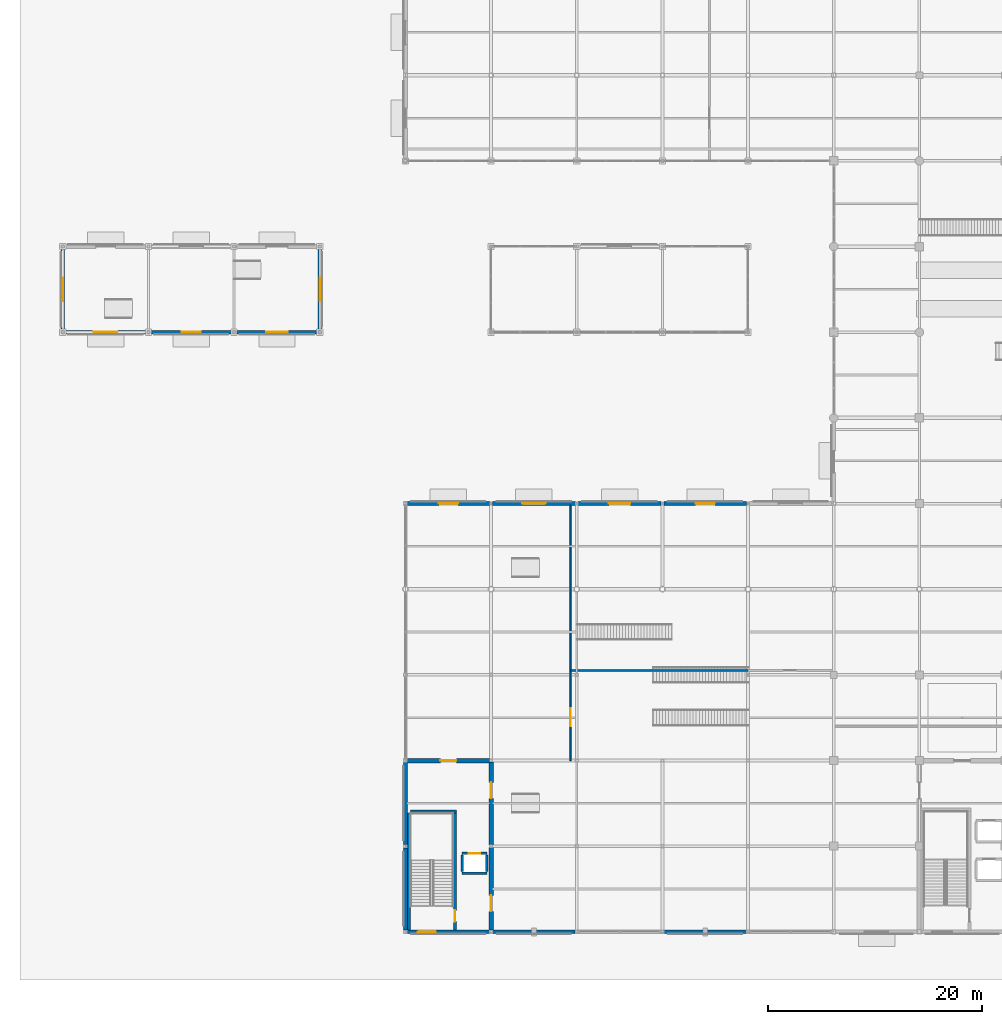
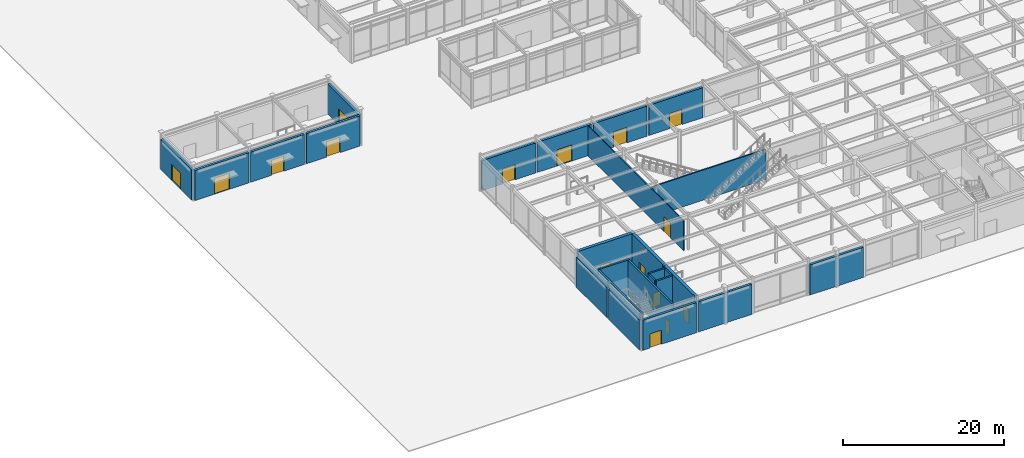
# One storey, part 101 of 128: 26 walls, 16 doors, 16 openings.
"""IFC4 building model written with IfcOpenShell, lengths in metres."""

from ifc_helpers import new_model, si_unit, direction, frame, frame_2d, origin, place, context, subcontext, project, spatial, rectangle, extrude, material, layer, layer_set, type_object, element, fill, save


model = new_model("IFC4")

# Units and contexts
model_context = context("Model", 3, precision=1e-05, world=origin(), true_north=direction((0.0, 1.0)))
body_context = subcontext(model_context, "Body", "Model", "MODEL_VIEW")
ifc_project = project(units=[si_unit("LENGTHUNIT", "METRE"), si_unit("AREAUNIT", "SQUARE_METRE"), si_unit("VOLUMEUNIT", "CUBIC_METRE"), si_unit("PLANEANGLEUNIT", "RADIAN"), si_unit("MASSUNIT", "GRAM", prefix="KILO")], contexts=[model_context])

# Site, building, storey
site_placement = place(None, origin())
site = spatial("IfcSite", under=ifc_project, at=site_placement, CompositionType="ELEMENT")
building_placement = place(site_placement, origin())
building = spatial("IfcBuilding", under=site, at=building_placement, Name="Solmirada Galleria", CompositionType="ELEMENT")
storey_placement = place(building_placement, origin())
storey = spatial("IfcBuildingStorey", under=building, at=storey_placement, Name="L00", CompositionType="ELEMENT", Elevation=0.0)

# Wall, opening, door
ifc_material_1 = material(Name="Concrete C40/50", Category="concrete")
ifc_layer_1 = layer(ifc_material_1, 0.419921875)
ifc_layer_set_1 = layer_set([ifc_layer_1], Name="Concrete C40/50")
wall_type_1 = type_object("IfcWallType", Name="WL-CORE-420", PredefinedType="SHEAR", material=ifc_layer_set_1)
wall_1_placement = place(storey_placement, frame((40.152587890625, 16.0, 0.0), z_axis=(0.0, 0.0, 1.0), x_axis=(1.0, 0.0, 0.0)))
wall_1 = element("IfcWall", 1, at=wall_1_placement, inside=storey, type_object=wall_type_1, Name="Core C5 shear wall L00 N1", PredefinedType="SHEAR", context=body_context, shape_type="SweptSolid", body=[
    extrude(rectangle(XDim=7.720458984375, YDim=0.419921875, at=frame_2d((3.8603515625, 0.0))), origin(), (0.0, 0.0, 1.0), 5.3798828125),
])
opening_1_placement = place(wall_1_placement, frame((3.110107421875, 0.0, 0.0)))
opening_1 = element("IfcOpeningElement", 2, at=opening_1_placement, cuts=wall_1, Name="Opening LDY-228", PredefinedType="OPENING", context=body_context, shape_type="SweptSolid", body=[
    extrude(rectangle(XDim=1.5, YDim=2.14990234375, at=frame_2d((0.75, 1.074951171875))), frame((0.0, 0.219970703125, 0.0), z_axis=(0.0, -1.0, 0.0), x_axis=(1.0, 0.0, 0.0)), (0.0, 0.0, 1.0), 0.43994140625),
])
ifc_material_2 = material(Name="Fire-rated painted steel door assembly", Category="steel")
door_type_1 = type_object("IfcDoorType", Name="DR-LOBBY-150X215", OperationType="DOUBLE_DOOR_SINGLE_SWING", PredefinedType="DOOR", material=ifc_material_2)
door_1_placement = place(opening_1_placement, origin())
door_1 = element("IfcDoor", 3, at=door_1_placement, inside=storey, type_object=door_type_1, Name="Core C5 lobby access fire door LDY-228", OperationType="DOUBLE_DOOR_SINGLE_SWING", OverallHeight=2.14990234375, OverallWidth=1.5, PredefinedType="DOOR", context=body_context, shape_type="SweptSolid", body=[
    extrude(rectangle(XDim=1.5, YDim=2.14990234375, at=frame_2d((0.75, 1.074951171875))), frame((0.0, 0.02490234375, 0.0), z_axis=(0.0, -1.0, 0.0), x_axis=(1.0, 0.0, 0.0)), (0.0, 0.0, 1.0), 0.050048828125),
])
fill(opening_1, door_1)

wall_2_placement = place(storey_placement, frame((48.0, 0.152587890625, 0.0), z_axis=(0.0, 0.0, 1.0), x_axis=(0.0, 1.0, 0.0)))
wall_2 = element("IfcWall", 4, at=wall_2_placement, inside=storey, type_object=wall_type_1, Name="Core C5 shear wall L00 E1", PredefinedType="SHEAR", context=body_context, shape_type="SweptSolid", body=[
    extrude(rectangle(XDim=7.720458984375, YDim=0.419921875, at=frame_2d((3.8603515625, 0.0))), origin(), (0.0, 0.0, 1.0), 5.3798828125),
])
opening_2_placement = place(wall_2_placement, frame((1.7490234375, 0.0, 0.0)))
opening_2 = element("IfcOpeningElement", 5, at=opening_2_placement, cuts=wall_2, Name="Opening LDY-229", PredefinedType="OPENING", context=body_context, shape_type="SweptSolid", body=[
    extrude(rectangle(XDim=1.5, YDim=2.14990234375, at=frame_2d((0.75, 1.074951171875))), frame((0.0, 0.219970703125, 0.0), z_axis=(0.0, -1.0, 0.0), x_axis=(1.0, 0.0, 0.0)), (0.0, 0.0, 1.0), 0.43994140625),
])
door_2_placement = place(opening_2_placement, origin())
door_2 = element("IfcDoor", 6, at=door_2_placement, inside=storey, type_object=door_type_1, Name="Core C5 lobby access fire door LDY-229", OperationType="DOUBLE_DOOR_SINGLE_SWING", OverallHeight=2.14990234375, OverallWidth=1.5, PredefinedType="DOOR", context=body_context, shape_type="SweptSolid", body=[
    extrude(rectangle(XDim=1.5, YDim=2.14990234375, at=frame_2d((0.75, 1.074951171875))), frame((0.0, 0.02490234375, 0.0), z_axis=(0.0, -1.0, 0.0), x_axis=(1.0, 0.0, 0.0)), (0.0, 0.0, 1.0), 0.050048828125),
])
fill(opening_2, door_2)

wall_3_placement = place(storey_placement, frame((48.0, 8.126953125, 0.0), z_axis=(0.0, 0.0, 1.0), x_axis=(0.0, 1.0, 0.0)))
wall_3 = element("IfcWall", 7, at=wall_3_placement, inside=storey, type_object=wall_type_1, Name="Core C5 shear wall L00 E2", PredefinedType="SHEAR", context=body_context, shape_type="SweptSolid", body=[
    extrude(rectangle(XDim=7.74609375, YDim=0.419921875, at=frame_2d((3.873046875, 0.0))), origin(), (0.0, 0.0, 1.0), 5.3798828125),
])
opening_3_placement = place(wall_3_placement, frame((4.3349609375, 0.0, 0.0)))
opening_3 = element("IfcOpeningElement", 8, at=opening_3_placement, cuts=wall_3, Name="Opening LDY-230", PredefinedType="OPENING", context=body_context, shape_type="SweptSolid", body=[
    extrude(rectangle(XDim=1.5, YDim=2.14990234375, at=frame_2d((0.75, 1.074951171875))), frame((0.0, 0.219970703125, 0.0), z_axis=(0.0, -1.0, 0.0), x_axis=(1.0, 0.0, 0.0)), (0.0, 0.0, 1.0), 0.43994140625),
])
door_3_placement = place(opening_3_placement, origin())
door_3 = element("IfcDoor", 9, at=door_3_placement, inside=storey, type_object=door_type_1, Name="Core C5 lobby access fire door LDY-230", OperationType="DOUBLE_DOOR_SINGLE_SWING", OverallHeight=2.14990234375, OverallWidth=1.5, PredefinedType="DOOR", context=body_context, shape_type="SweptSolid", body=[
    extrude(rectangle(XDim=1.5, YDim=2.14990234375, at=frame_2d((0.75, 1.074951171875))), frame((0.0, 0.02490234375, 0.0), z_axis=(0.0, -1.0, 0.0), x_axis=(1.0, 0.0, 0.0)), (0.0, 0.0, 1.0), 0.050048828125),
])
fill(opening_3, door_3)

# Walls
ifc_material_3 = material(Name="Precast concrete C40/50", Category="concrete")
ifc_layer_2 = layer(ifc_material_3, 0.340087890625)
ifc_layer_set_2 = layer_set([ifc_layer_2], Name="Precast concrete C40/50")
wall_type_2 = type_object("IfcWallType", Name="WL-EXT-340", PredefinedType="STANDARD", material=ifc_layer_set_2)
for number, where, z_axis, x_axis, name in (
    (10, (71.847412109375, 0.0, 0.0), (0.0, 0.0, 1.0), (-1.0, 0.0, 0.0), "Exterior wall L00 bay 077"),
    (11, (55.847412109375, 0.0, 0.0), (0.0, 0.0, 1.0), (-1.0, 0.0, 0.0), "Exterior wall L00 bay 079"),
):
    element("IfcWall", number, at=place(storey_placement, frame(where, z_axis=z_axis, x_axis=x_axis)), inside=storey, type_object=wall_type_2, Name=name, PredefinedType="STANDARD", context=body_context, shape_type="SweptSolid", body=[
        extrude(rectangle(XDim=7.69482421875, YDim=0.340087890625, at=frame_2d((3.847412109375, 0.0))), origin(), (0.0, 0.0, 1.0), 4.580078125),
    ])

# Wall, opening, door
wall_4_placement = place(storey_placement, frame((47.847412109375, 0.0, 0.0), z_axis=(0.0, 0.0, 1.0), x_axis=(-1.0, 0.0, 0.0)))
wall_4 = element("IfcWall", 12, at=wall_4_placement, inside=storey, type_object=wall_type_2, Name="Exterior wall L00 bay 080", PredefinedType="STANDARD", context=body_context, shape_type="SweptSolid", body=[
    extrude(rectangle(XDim=7.69482421875, YDim=0.340087890625, at=frame_2d((3.847412109375, 0.0))), origin(), (0.0, 0.0, 1.0), 4.580078125),
])
opening_4_placement = place(wall_4_placement, frame((4.9951171875, 0.0, 0.0)))
opening_4 = element("IfcOpeningElement", 13, at=opening_4_placement, cuts=wall_4, Name="Opening ED-040", PredefinedType="OPENING", context=body_context, shape_type="SweptSolid", body=[
    extrude(rectangle(XDim=1.699951171875, YDim=2.14990234375, at=frame_2d((0.85009765625, 1.074951171875))), frame((0.0, 0.179931640625, 0.0), z_axis=(0.0, -1.0, 0.0), x_axis=(1.0, 0.0, 0.0)), (0.0, 0.0, 1.0), 0.360107421875),
])
ifc_material_4 = material(Name="Painted galvanized steel door assembly", Category="steel")
door_type_2 = type_object("IfcDoorType", Name="DR-EXIT-170X215", OperationType="DOUBLE_DOOR_SINGLE_SWING", PredefinedType="DOOR", material=ifc_material_4)
door_4_placement = place(opening_4_placement, origin())
door_4 = element("IfcDoor", 14, at=door_4_placement, inside=storey, type_object=door_type_2, Name="Exit stair ST5 exterior discharge door ED-040", OperationType="DOUBLE_DOOR_SINGLE_SWING", OverallHeight=2.14990234375, OverallWidth=1.699951171875, PredefinedType="DOOR", context=body_context, shape_type="SweptSolid", body=[
    extrude(rectangle(XDim=1.699951171875, YDim=2.14990234375, at=frame_2d((0.85009765625, 1.074951171875))), frame((0.0, 0.02490234375, 0.0), z_axis=(0.0, -1.0, 0.0), x_axis=(1.0, 0.0, 0.0)), (0.0, 0.0, 1.0), 0.050048828125),
])
fill(opening_4, door_4)

# Walls
for number, where, z_axis, x_axis, name in (
    (15, (40.0, 0.152587890625, 0.0), (0.0, 0.0, 1.0), (0.0, 1.0, 0.0), "Exterior wall L00 bay 081"),
    (16, (40.0, 8.152587890625, 0.0), (0.0, 0.0, 1.0), (0.0, 1.0, 0.0), "Exterior wall L00 bay 082"),
):
    element("IfcWall", number, at=place(storey_placement, frame(where, z_axis=z_axis, x_axis=x_axis)), inside=storey, type_object=wall_type_2, Name=name, PredefinedType="STANDARD", context=body_context, shape_type="SweptSolid", body=[
        extrude(rectangle(XDim=7.69482421875, YDim=0.340087890625, at=frame_2d((3.847412109375, 0.0))), origin(), (0.0, 0.0, 1.0), 4.580078125),
    ])

# Wall, opening, door
wall_5_placement = place(storey_placement, frame((40.152587890625, 40.0, 0.0), z_axis=(0.0, 0.0, 1.0), x_axis=(1.0, 0.0, 0.0)))
wall_5 = element("IfcWall", 17, at=wall_5_placement, inside=storey, type_object=wall_type_2, Name="Exterior wall L00 bay 086", PredefinedType="STANDARD", context=body_context, shape_type="SweptSolid", body=[
    extrude(rectangle(XDim=7.720458984375, YDim=0.340087890625, at=frame_2d((3.8603515625, 0.0))), origin(), (0.0, 0.0, 1.0), 4.580078125),
])
opening_5_placement = place(wall_5_placement, frame((2.9599609375, 0.0, 0.0)))
opening_5 = element("IfcOpeningElement", 18, at=opening_5_placement, cuts=wall_5, Name="Opening ED-041", PredefinedType="OPENING", context=body_context, shape_type="SweptSolid", body=[
    extrude(rectangle(XDim=1.800048828125, YDim=2.300048828125, at=frame_2d((0.89990234375, 1.14990234375))), frame((0.0, 0.179931640625, 0.0), z_axis=(0.0, -1.0, 0.0), x_axis=(1.0, 0.0, 0.0)), (0.0, 0.0, 1.0), 0.360107421875),
])
ifc_material_5 = material(Name="Thermally broken aluminium and laminated glass door", Category="aluminium")
door_type_3 = type_object("IfcDoorType", Name="DR-ENT-180X230", OperationType="DOUBLE_DOOR_SINGLE_SWING", PredefinedType="DOOR", material=ifc_material_5)
door_5_placement = place(opening_5_placement, origin())
door_5 = element("IfcDoor", 19, at=door_5_placement, inside=storey, type_object=door_type_3, Name="Public avenue entrance door ED-041", OperationType="DOUBLE_DOOR_SINGLE_SWING", OverallHeight=2.300048828125, OverallWidth=1.800048828125, PredefinedType="DOOR", context=body_context, shape_type="SweptSolid", body=[
    extrude(rectangle(XDim=1.800048828125, YDim=2.300048828125, at=frame_2d((0.89990234375, 1.14990234375))), frame((0.0, 0.02490234375, 0.0), z_axis=(0.0, -1.0, 0.0), x_axis=(1.0, 0.0, 0.0)), (0.0, 0.0, 1.0), 0.050048828125),
])
fill(opening_5, door_5)

wall_6_placement = place(storey_placement, frame((48.126953125, 40.0, 0.0), z_axis=(0.0, 0.0, 1.0), x_axis=(1.0, 0.0, 0.0)))
wall_6 = element("IfcWall", 20, at=wall_6_placement, inside=storey, type_object=wall_type_2, Name="Exterior wall L00 bay 087", PredefinedType="STANDARD", context=body_context, shape_type="SweptSolid", body=[
    extrude(rectangle(XDim=7.74609375, YDim=0.340087890625, at=frame_2d((3.873046875, 0.0))), origin(), (0.0, 0.0, 1.0), 4.580078125),
])
opening_6_placement = place(wall_6_placement, frame((2.77294921875, 0.0, 0.0)))
opening_6 = element("IfcOpeningElement", 21, at=opening_6_placement, cuts=wall_6, Name="Opening ED-042", PredefinedType="OPENING", context=body_context, shape_type="SweptSolid", body=[
    extrude(rectangle(XDim=2.199951171875, YDim=2.449951171875, at=frame_2d((1.10009765625, 1.22509765625))), frame((0.0, 0.179931640625, 0.0), z_axis=(0.0, -1.0, 0.0), x_axis=(1.0, 0.0, 0.0)), (0.0, 0.0, 1.0), 0.360107421875),
])
door_type_4 = type_object("IfcDoorType", Name="DR-ENT-220X245", OperationType="DOUBLE_DOOR_SINGLE_SWING", PredefinedType="DOOR", material=ifc_material_5)
door_6_placement = place(opening_6_placement, origin())
door_6 = element("IfcDoor", 22, at=door_6_placement, inside=storey, type_object=door_type_4, Name="Public avenue entrance door ED-042", OperationType="DOUBLE_DOOR_SINGLE_SWING", OverallHeight=2.449951171875, OverallWidth=2.199951171875, PredefinedType="DOOR", context=body_context, shape_type="SweptSolid", body=[
    extrude(rectangle(XDim=2.199951171875, YDim=2.449951171875, at=frame_2d((1.10009765625, 1.22509765625))), frame((0.0, 0.02490234375, 0.0), z_axis=(0.0, -1.0, 0.0), x_axis=(1.0, 0.0, 0.0)), (0.0, 0.0, 1.0), 0.050048828125),
])
fill(opening_6, door_6)

wall_7_placement = place(storey_placement, frame((56.126953125, 40.0, 0.0), z_axis=(0.0, 0.0, 1.0), x_axis=(1.0, 0.0, 0.0)))
wall_7 = element("IfcWall", 23, at=wall_7_placement, inside=storey, type_object=wall_type_2, Name="Exterior wall L00 bay 088", PredefinedType="STANDARD", context=body_context, shape_type="SweptSolid", body=[
    extrude(rectangle(XDim=7.74609375, YDim=0.340087890625, at=frame_2d((3.873046875, 0.0))), origin(), (0.0, 0.0, 1.0), 4.580078125),
])
opening_7_placement = place(wall_7_placement, frame((2.873046875, 0.0, 0.0)))
opening_7 = element("IfcOpeningElement", 24, at=opening_7_placement, cuts=wall_7, Name="Opening ED-043", PredefinedType="OPENING", context=body_context, shape_type="SweptSolid", body=[
    extrude(rectangle(XDim=2.0, YDim=2.35009765625, at=frame_2d((1.0, 1.175048828125))), frame((0.0, 0.179931640625, 0.0), z_axis=(0.0, -1.0, 0.0), x_axis=(1.0, 0.0, 0.0)), (0.0, 0.0, 1.0), 0.360107421875),
])
door_type_5 = type_object("IfcDoorType", Name="DR-ENT-200X235", OperationType="DOUBLE_DOOR_SINGLE_SWING", PredefinedType="DOOR", material=ifc_material_5)
door_7_placement = place(opening_7_placement, origin())
door_7 = element("IfcDoor", 25, at=door_7_placement, inside=storey, type_object=door_type_5, Name="Public avenue entrance door ED-043", OperationType="DOUBLE_DOOR_SINGLE_SWING", OverallHeight=2.35009765625, OverallWidth=2.0, PredefinedType="DOOR", context=body_context, shape_type="SweptSolid", body=[
    extrude(rectangle(XDim=2.0, YDim=2.35009765625, at=frame_2d((1.0, 1.175048828125))), frame((0.0, 0.02490234375, 0.0), z_axis=(0.0, -1.0, 0.0), x_axis=(1.0, 0.0, 0.0)), (0.0, 0.0, 1.0), 0.050048828125),
])
fill(opening_7, door_7)

wall_8_placement = place(storey_placement, frame((64.126953125, 40.0, 0.0), z_axis=(0.0, 0.0, 1.0), x_axis=(1.0, 0.0, 0.0)))
wall_8 = element("IfcWall", 26, at=wall_8_placement, inside=storey, type_object=wall_type_2, Name="Exterior wall L00 bay 089", PredefinedType="STANDARD", context=body_context, shape_type="SweptSolid", body=[
    extrude(rectangle(XDim=7.74609375, YDim=0.340087890625, at=frame_2d((3.873046875, 0.0))), origin(), (0.0, 0.0, 1.0), 4.580078125),
])
opening_8_placement = place(wall_8_placement, frame((2.972900390625, 0.0, 0.0)))
opening_8 = element("IfcOpeningElement", 27, at=opening_8_placement, cuts=wall_8, Name="Opening ED-044", PredefinedType="OPENING", context=body_context, shape_type="SweptSolid", body=[
    extrude(rectangle(XDim=1.800048828125, YDim=2.300048828125, at=frame_2d((0.89990234375, 1.14990234375))), frame((0.0, 0.179931640625, 0.0), z_axis=(0.0, -1.0, 0.0), x_axis=(1.0, 0.0, 0.0)), (0.0, 0.0, 1.0), 0.360107421875),
])
door_8_placement = place(opening_8_placement, origin())
door_8 = element("IfcDoor", 28, at=door_8_placement, inside=storey, type_object=door_type_3, Name="Public avenue entrance door ED-044", OperationType="DOUBLE_DOOR_SINGLE_SWING", OverallHeight=2.300048828125, OverallWidth=1.800048828125, PredefinedType="DOOR", context=body_context, shape_type="SweptSolid", body=[
    extrude(rectangle(XDim=1.800048828125, YDim=2.300048828125, at=frame_2d((0.89990234375, 1.14990234375))), frame((0.0, 0.02490234375, 0.0), z_axis=(0.0, -1.0, 0.0), x_axis=(1.0, 0.0, 0.0)), (0.0, 0.0, 1.0), 0.050048828125),
])
fill(opening_8, door_8)

wall_9_placement = place(storey_placement, frame((31.873046875, 56.0, 0.0), z_axis=(0.0, 0.0, 1.0), x_axis=(-1.0, 0.0, 0.0)))
wall_9 = element("IfcWall", 29, at=wall_9_placement, inside=storey, type_object=wall_type_2, Name="Exterior wall L00 bay 091", PredefinedType="STANDARD", context=body_context, shape_type="SweptSolid", body=[
    extrude(rectangle(XDim=7.74609375, YDim=0.340087890625, at=frame_2d((3.873046875, 0.0))), origin(), (0.0, 0.0, 1.0), 4.580078125),
])
opening_9_placement = place(wall_9_placement, frame((2.873046875, 0.0, 0.0)))
opening_9 = element("IfcOpeningElement", 30, at=opening_9_placement, cuts=wall_9, Name="Opening ED-046", PredefinedType="OPENING", context=body_context, shape_type="SweptSolid", body=[
    extrude(rectangle(XDim=2.0, YDim=2.35009765625, at=frame_2d((1.0, 1.175048828125))), frame((0.0, 0.179931640625, 0.0), z_axis=(0.0, -1.0, 0.0), x_axis=(1.0, 0.0, 0.0)), (0.0, 0.0, 1.0), 0.360107421875),
])
door_9_placement = place(opening_9_placement, origin())
door_9 = element("IfcDoor", 31, at=door_9_placement, inside=storey, type_object=door_type_5, Name="Public avenue entrance door ED-046", OperationType="DOUBLE_DOOR_SINGLE_SWING", OverallHeight=2.35009765625, OverallWidth=2.0, PredefinedType="DOOR", context=body_context, shape_type="SweptSolid", body=[
    extrude(rectangle(XDim=2.0, YDim=2.35009765625, at=frame_2d((1.0, 1.175048828125))), frame((0.0, 0.02490234375, 0.0), z_axis=(0.0, -1.0, 0.0), x_axis=(1.0, 0.0, 0.0)), (0.0, 0.0, 1.0), 0.050048828125),
])
fill(opening_9, door_9)

wall_10_placement = place(storey_placement, frame((23.873046875, 56.0, 0.0), z_axis=(0.0, 0.0, 1.0), x_axis=(-1.0, 0.0, 0.0)))
wall_10 = element("IfcWall", 32, at=wall_10_placement, inside=storey, type_object=wall_type_2, Name="Exterior wall L00 bay 092", PredefinedType="STANDARD", context=body_context, shape_type="SweptSolid", body=[
    extrude(rectangle(XDim=7.74609375, YDim=0.340087890625, at=frame_2d((3.873046875, 0.0))), origin(), (0.0, 0.0, 1.0), 4.580078125),
])
opening_10_placement = place(wall_10_placement, frame((2.972900390625, 0.0, 0.0)))
opening_10 = element("IfcOpeningElement", 33, at=opening_10_placement, cuts=wall_10, Name="Opening ED-047", PredefinedType="OPENING", context=body_context, shape_type="SweptSolid", body=[
    extrude(rectangle(XDim=1.800048828125, YDim=2.300048828125, at=frame_2d((0.89990234375, 1.14990234375))), frame((0.0, 0.179931640625, 0.0), z_axis=(0.0, -1.0, 0.0), x_axis=(1.0, 0.0, 0.0)), (0.0, 0.0, 1.0), 0.360107421875),
])
door_10_placement = place(opening_10_placement, origin())
door_10 = element("IfcDoor", 34, at=door_10_placement, inside=storey, type_object=door_type_3, Name="Public avenue entrance door ED-047", OperationType="DOUBLE_DOOR_SINGLE_SWING", OverallHeight=2.300048828125, OverallWidth=1.800048828125, PredefinedType="DOOR", context=body_context, shape_type="SweptSolid", body=[
    extrude(rectangle(XDim=1.800048828125, YDim=2.300048828125, at=frame_2d((0.89990234375, 1.14990234375))), frame((0.0, 0.02490234375, 0.0), z_axis=(0.0, -1.0, 0.0), x_axis=(1.0, 0.0, 0.0)), (0.0, 0.0, 1.0), 0.050048828125),
])
fill(opening_10, door_10)

wall_11_placement = place(storey_placement, frame((15.873046875, 56.0, 0.0), z_axis=(0.0, 0.0, 1.0), x_axis=(-1.0, 0.0, 0.0)))
wall_11 = element("IfcWall", 35, at=wall_11_placement, inside=storey, type_object=wall_type_2, Name="Exterior wall L00 bay 093", PredefinedType="STANDARD", context=body_context, shape_type="SweptSolid", body=[
    extrude(rectangle(XDim=7.74609375, YDim=0.340087890625, at=frame_2d((3.873046875, 0.0))), origin(), (0.0, 0.0, 1.0), 4.580078125),
])
opening_11_placement = place(wall_11_placement, frame((2.77294921875, 0.0, 0.0)))
opening_11 = element("IfcOpeningElement", 36, at=opening_11_placement, cuts=wall_11, Name="Opening ED-048", PredefinedType="OPENING", context=body_context, shape_type="SweptSolid", body=[
    extrude(rectangle(XDim=2.199951171875, YDim=2.449951171875, at=frame_2d((1.10009765625, 1.22509765625))), frame((0.0, 0.179931640625, 0.0), z_axis=(0.0, -1.0, 0.0), x_axis=(1.0, 0.0, 0.0)), (0.0, 0.0, 1.0), 0.360107421875),
])
door_11_placement = place(opening_11_placement, origin())
door_11 = element("IfcDoor", 37, at=door_11_placement, inside=storey, type_object=door_type_4, Name="Public avenue entrance door ED-048", OperationType="DOUBLE_DOOR_SINGLE_SWING", OverallHeight=2.449951171875, OverallWidth=2.199951171875, PredefinedType="DOOR", context=body_context, shape_type="SweptSolid", body=[
    extrude(rectangle(XDim=2.199951171875, YDim=2.449951171875, at=frame_2d((1.10009765625, 1.22509765625))), frame((0.0, 0.02490234375, 0.0), z_axis=(0.0, -1.0, 0.0), x_axis=(1.0, 0.0, 0.0)), (0.0, 0.0, 1.0), 0.050048828125),
])
fill(opening_11, door_11)

wall_12_placement = place(storey_placement, frame((8.0, 56.126953125, 0.0), z_axis=(0.0, 0.0, 1.0), x_axis=(0.0, 1.0, 0.0)))
wall_12 = element("IfcWall", 38, at=wall_12_placement, inside=storey, type_object=wall_type_2, Name="Exterior wall L00 bay 094", PredefinedType="STANDARD", context=body_context, shape_type="SweptSolid", body=[
    extrude(rectangle(XDim=7.74609375, YDim=0.340087890625, at=frame_2d((3.873046875, 0.0))), origin(), (0.0, 0.0, 1.0), 4.580078125),
])
opening_12_placement = place(wall_12_placement, frame((2.77294921875, 0.0, 0.0)))
opening_12 = element("IfcOpeningElement", 39, at=opening_12_placement, cuts=wall_12, Name="Opening ED-049", PredefinedType="OPENING", context=body_context, shape_type="SweptSolid", body=[
    extrude(rectangle(XDim=2.199951171875, YDim=2.449951171875, at=frame_2d((1.10009765625, 1.22509765625))), frame((0.0, 0.179931640625, 0.0), z_axis=(0.0, -1.0, 0.0), x_axis=(1.0, 0.0, 0.0)), (0.0, 0.0, 1.0), 0.360107421875),
])
door_12_placement = place(opening_12_placement, origin())
door_12 = element("IfcDoor", 40, at=door_12_placement, inside=storey, type_object=door_type_4, Name="West arcade welcome portal door ED-049", OperationType="DOUBLE_DOOR_SINGLE_SWING", OverallHeight=2.449951171875, OverallWidth=2.199951171875, PredefinedType="DOOR", context=body_context, shape_type="SweptSolid", body=[
    extrude(rectangle(XDim=2.199951171875, YDim=2.449951171875, at=frame_2d((1.10009765625, 1.22509765625))), frame((0.0, 0.02490234375, 0.0), z_axis=(0.0, -1.0, 0.0), x_axis=(1.0, 0.0, 0.0)), (0.0, 0.0, 1.0), 0.050048828125),
])
fill(opening_12, door_12)

wall_13_placement = place(storey_placement, frame((32.0, 63.873046875, 0.0), z_axis=(0.0, 0.0, 1.0), x_axis=(0.0, -1.0, 0.0)))
wall_13 = element("IfcWall", 41, at=wall_13_placement, inside=storey, type_object=wall_type_2, Name="Exterior wall L00 bay 098", PredefinedType="STANDARD", context=body_context, shape_type="SweptSolid", body=[
    extrude(rectangle(XDim=7.74609375, YDim=0.340087890625, at=frame_2d((3.873046875, 0.0))), origin(), (0.0, 0.0, 1.0), 4.580078125),
])
opening_13_placement = place(wall_13_placement, frame((2.77294921875, 0.0, 0.0)))
opening_13 = element("IfcOpeningElement", 42, at=opening_13_placement, cuts=wall_13, Name="Opening ED-053", PredefinedType="OPENING", context=body_context, shape_type="SweptSolid", body=[
    extrude(rectangle(XDim=2.199951171875, YDim=2.449951171875, at=frame_2d((1.10009765625, 1.22509765625))), frame((0.0, 0.179931640625, 0.0), z_axis=(0.0, -1.0, 0.0), x_axis=(1.0, 0.0, 0.0)), (0.0, 0.0, 1.0), 0.360107421875),
])
door_13_placement = place(opening_13_placement, origin())
door_13 = element("IfcDoor", 43, at=door_13_placement, inside=storey, type_object=door_type_4, Name="West arcade welcome portal door ED-053", OperationType="DOUBLE_DOOR_SINGLE_SWING", OverallHeight=2.449951171875, OverallWidth=2.199951171875, PredefinedType="DOOR", context=body_context, shape_type="SweptSolid", body=[
    extrude(rectangle(XDim=2.199951171875, YDim=2.449951171875, at=frame_2d((1.10009765625, 1.22509765625))), frame((0.0, 0.02490234375, 0.0), z_axis=(0.0, -1.0, 0.0), x_axis=(1.0, 0.0, 0.0)), (0.0, 0.0, 1.0), 0.050048828125),
])
fill(opening_13, door_13)

ifc_layer_3 = layer(ifc_material_1, 0.239990234375)
ifc_layer_set_3 = layer_set([ifc_layer_3], Name="Concrete C40/50")
wall_type_3 = type_object("IfcWallType", Name="WL-HOIST-240", PredefinedType="PARTITIONING", material=ifc_layer_set_3)
wall_14_placement = place(storey_placement, frame((45.294921875, 7.330078125, 0.0), z_axis=(0.0, 0.0, 1.0), x_axis=(1.0, 0.0, 0.0)))
wall_14 = element("IfcWall", 44, at=wall_14_placement, inside=storey, type_object=wall_type_3, Name="Lift LP5 hoistway front wall L00", PredefinedType="PARTITIONING", context=body_context, shape_type="SweptSolid", body=[
    extrude(rectangle(XDim=2.31005859375, YDim=0.239990234375, at=frame_2d((1.155029296875, 0.0))), origin(), (0.0, 0.0, 1.0), 5.3798828125),
])
opening_14_placement = place(wall_14_placement, frame((0.60498046875, 0.0, 0.0)))
opening_14 = element("IfcOpeningElement", 45, at=opening_14_placement, cuts=wall_14, Name="Opening LD-LP5-L00", PredefinedType="OPENING", context=body_context, shape_type="SweptSolid", body=[
    extrude(rectangle(XDim=1.10009765625, YDim=2.14990234375, at=frame_2d((0.550048828125, 1.074951171875))), frame((0.0, 0.1298828125, 0.0), z_axis=(0.0, -1.0, 0.0), x_axis=(1.0, 0.0, 0.0)), (0.0, 0.0, 1.0), 0.260009765625),
])
ifc_material_6 = material(Name="Brushed stainless-steel sliding landing door", Category="steel")
door_type_6 = type_object("IfcDoorType", Name="DR-LIFT-110X215", OperationType="SLIDING_TO_LEFT", PredefinedType="DOOR", material=ifc_material_6)
door_14_placement = place(opening_14_placement, origin())
door_14 = element("IfcDoor", 46, at=door_14_placement, inside=storey, type_object=door_type_6, Name="Lift LP5 sliding landing door L00", OperationType="SLIDING_TO_LEFT", OverallHeight=2.14990234375, OverallWidth=1.10009765625, PredefinedType="DOOR", context=body_context, shape_type="SweptSolid", body=[
    extrude(rectangle(XDim=1.10009765625, YDim=2.14990234375, at=frame_2d((0.550048828125, 1.074951171875))), frame((0.0, 0.02490234375, 0.0), z_axis=(0.0, -1.0, 0.0), x_axis=(1.0, 0.0, 0.0)), (0.0, 0.0, 1.0), 0.050048828125),
])
fill(opening_14, door_14)

# Walls
wall_15_placement = place(storey_placement, frame((45.294921875, 5.469970703125, 0.0), z_axis=(0.0, 0.0, 1.0), x_axis=(1.0, 0.0, 0.0)))
element("IfcWall", 47, at=wall_15_placement, inside=storey, type_object=wall_type_3, Name="Lift LP5 hoistway rear wall L00", PredefinedType="PARTITIONING", context=body_context, shape_type="SweptSolid", body=[
    extrude(rectangle(XDim=2.31005859375, YDim=0.239990234375, at=frame_2d((1.155029296875, 0.0))), origin(), (0.0, 0.0, 1.0), 5.3798828125),
])
for number, where, z_axis, x_axis, name in (
    (48, (45.294921875, 5.610107421875, 0.0), (0.0, 0.0, 1.0), (0.0, 1.0, 0.0), "Lift LP5 hoistway side wall L L00"),
    (49, (47.60498046875, 5.610107421875, 0.0), (0.0, 0.0, 1.0), (0.0, 1.0, 0.0), "Lift LP5 hoistway side wall R L00"),
):
    element("IfcWall", number, at=place(storey_placement, frame(where, z_axis=z_axis, x_axis=x_axis)), inside=storey, type_object=wall_type_3, Name=name, PredefinedType="PARTITIONING", context=body_context, shape_type="SweptSolid", body=[
        extrude(rectangle(XDim=1.579833984375, YDim=0.239990234375, at=frame_2d((0.7900390625, 0.0))), origin(), (0.0, 0.0, 1.0), 5.3798828125),
    ])

# Wall, opening, door
ifc_material_7 = material(Name="Acoustic gypsum board partition")
ifc_layer_4 = layer(ifc_material_7, 0.135009765625)
ifc_layer_set_4 = layer_set([ifc_layer_4], Name="Acoustic gypsum board partition")
wall_type_4 = type_object("IfcWallType", Name="WL-PART-135", PredefinedType="PARTITIONING", material=ifc_layer_set_4)
wall_16_placement = place(storey_placement, frame((55.39990234375, 16.0, 0.0), z_axis=(0.0, 0.0, 1.0), x_axis=(0.0, 1.0, 0.0)))
wall_16 = element("IfcWall", 50, at=wall_16_placement, inside=storey, type_object=wall_type_4, Name="Partition L00-032 (Bakery and Cafe)", PredefinedType="PARTITIONING", context=body_context, shape_type="SweptSolid", body=[
    extrude(rectangle(XDim=23.85009765625, YDim=0.135009765625, at=frame_2d((11.925048828125, 0.0))), origin(), (0.0, 0.0, 1.0), 4.580078125),
])
opening_15_placement = place(wall_16_placement, frame((3.18896484375, 0.0, 0.0)))
opening_15 = element("IfcOpeningElement", 51, at=opening_15_placement, cuts=wall_16, Name="Opening ID-279", PredefinedType="OPENING", context=body_context, shape_type="SweptSolid", body=[
    extrude(rectangle(XDim=1.699951171875, YDim=2.25, at=frame_2d((0.85009765625, 1.125))), frame((0.0, 0.077392578125, 0.0), z_axis=(0.0, -1.0, 0.0), x_axis=(1.0, 0.0, 0.0)), (0.0, 0.0, 1.0), 0.155029296875),
])
ifc_material_8 = material(Name="Architectural hardwood veneer door", Category="wood")
door_type_7 = type_object("IfcDoorType", Name="DR-DEPT-170X225", OperationType="DOUBLE_DOOR_SINGLE_SWING", PredefinedType="DOOR", material=ifc_material_8)
door_15_placement = place(opening_15_placement, origin())
door_15 = element("IfcDoor", 52, at=door_15_placement, inside=storey, type_object=door_type_7, Name="Bakery and Cafe door ID-279", OperationType="DOUBLE_DOOR_SINGLE_SWING", OverallHeight=2.25, OverallWidth=1.699951171875, PredefinedType="DOOR", context=body_context, shape_type="SweptSolid", body=[
    extrude(rectangle(XDim=1.699951171875, YDim=2.25, at=frame_2d((0.85009765625, 1.125))), frame((0.0, 0.02490234375, 0.0), z_axis=(0.0, -1.0, 0.0), x_axis=(1.0, 0.0, 0.0)), (0.0, 0.0, 1.0), 0.050048828125),
])
fill(opening_15, door_15)

# Walls
ifc_material_9 = material(Name="Fire-rated gypsum and steel-stud partition", Category="steel")
ifc_layer_5 = layer(ifc_material_9, 0.18994140625)
ifc_layer_set_5 = layer_set([ifc_layer_5], Name="Fire-rated gypsum and steel-stud partition")
wall_type_5 = type_object("IfcWallType", Name="WL-PART-190", PredefinedType="PARTITIONING", material=ifc_layer_set_5)
wall_17_placement = place(storey_placement, frame((55.39990234375, 24.39990234375, 0.0), z_axis=(0.0, 0.0, 1.0), x_axis=(1.0, 0.0, 0.0)))
element("IfcWall", 53, at=wall_17_placement, inside=storey, type_object=wall_type_5, Name="Partition L00-030 (Food Hall Kitchen West)", PredefinedType="PARTITIONING", context=body_context, shape_type="SweptSolid", body=[
    extrude(rectangle(XDim=16.60009765625, YDim=0.18994140625, at=frame_2d((8.300048828125, 0.0))), origin(), (0.0, 0.0, 1.0), 4.580078125),
])
ifc_layer_6 = layer(ifc_material_1, 0.260009765625)
ifc_layer_set_6 = layer_set([ifc_layer_6], Name="Concrete C40/50")
wall_type_6 = type_object("IfcWallType", Name="WL-SHAFT-260", PredefinedType="SHEAR", material=ifc_layer_set_6)
wall_18_placement = place(storey_placement, frame((40.449951171875, 11.22998046875, 0.0), z_axis=(0.0, 0.0, 1.0), x_axis=(1.0, 0.0, 0.0)))
element("IfcWall", 54, at=wall_18_placement, inside=storey, type_object=wall_type_6, Name="Stair ST5 enclosure wall L00 N", PredefinedType="SHEAR", context=body_context, shape_type="SweptSolid", body=[
    extrude(rectangle(XDim=4.31005859375, YDim=0.260009765625, at=frame_2d((2.155029296875, 0.0))), origin(), (0.0, 0.0, 1.0), 5.3798828125),
])
wall_19_placement = place(storey_placement, frame((40.320068359375, 0.14501953125, 0.0), z_axis=(0.0, 0.0, 1.0), x_axis=(0.0, 1.0, 0.0)))
element("IfcWall", 55, at=wall_19_placement, inside=storey, type_object=wall_type_6, Name="Stair ST5 enclosure wall L00 W", PredefinedType="SHEAR", context=body_context, shape_type="SweptSolid", body=[
    extrude(rectangle(XDim=10.955078125, YDim=0.260009765625, at=frame_2d((5.4775390625, 0.0))), origin(), (0.0, 0.0, 1.0), 5.3798828125),
])

# Wall, opening, door
wall_20_placement = place(storey_placement, frame((44.6298828125, 0.14501953125, 0.0), z_axis=(0.0, 0.0, 1.0), x_axis=(0.0, 1.0, 0.0)))
wall_20 = element("IfcWall", 56, at=wall_20_placement, inside=storey, type_object=wall_type_6, Name="Stair ST5 enclosure wall L00 E", PredefinedType="SHEAR", context=body_context, shape_type="SweptSolid", body=[
    extrude(rectangle(XDim=10.955078125, YDim=0.260009765625, at=frame_2d((5.4775390625, 0.0))), origin(), (0.0, 0.0, 1.0), 5.3798828125),
])
opening_16_placement = place(wall_20_placement, frame((0.804931640625, 0.0, 0.0)))
opening_16 = element("IfcOpeningElement", 57, at=opening_16_placement, cuts=wall_20, Name="Opening SD-227", PredefinedType="OPENING", context=body_context, shape_type="SweptSolid", body=[
    extrude(rectangle(XDim=1.050048828125, YDim=2.14990234375, at=frame_2d((0.52490234375, 1.074951171875))), frame((0.0, 0.139892578125, 0.0), z_axis=(0.0, -1.0, 0.0), x_axis=(1.0, 0.0, 0.0)), (0.0, 0.0, 1.0), 0.280029296875),
])
door_type_8 = type_object("IfcDoorType", Name="DR-STAIR-105X215", OperationType="NOTDEFINED", PredefinedType="DOOR", material=ifc_material_2)
door_16_placement = place(opening_16_placement, origin())
door_16 = element("IfcDoor", 58, at=door_16_placement, inside=storey, type_object=door_type_8, Name="Exit stair ST5 enclosure fire door SD-227", OperationType="SINGLE_SWING_RIGHT", OverallHeight=2.14990234375, OverallWidth=1.050048828125, PredefinedType="DOOR", context=body_context, shape_type="SweptSolid", body=[
    extrude(rectangle(XDim=1.050048828125, YDim=2.14990234375, at=frame_2d((0.52490234375, 1.074951171875))), frame((0.0, 0.02490234375, 0.0), z_axis=(0.0, -1.0, 0.0), x_axis=(1.0, 0.0, 0.0)), (0.0, 0.0, 1.0), 0.050048828125),
])
fill(opening_16, door_16)

save(model, "model.ifc")
